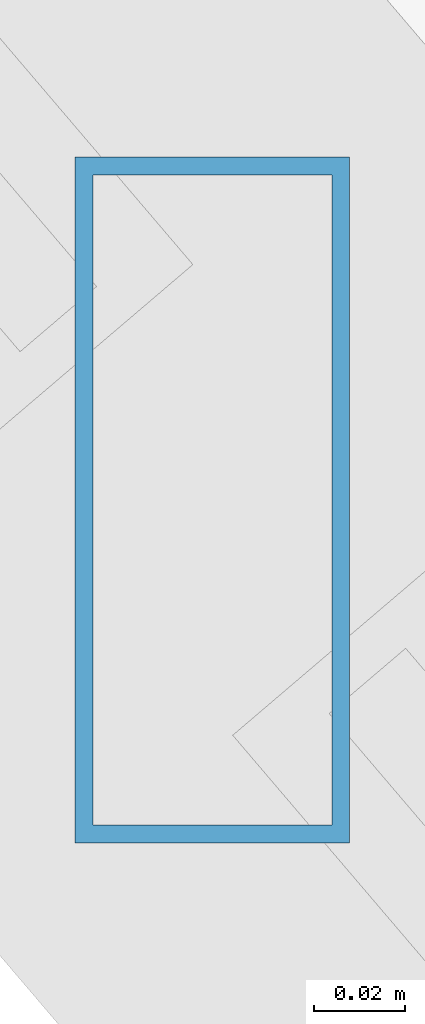
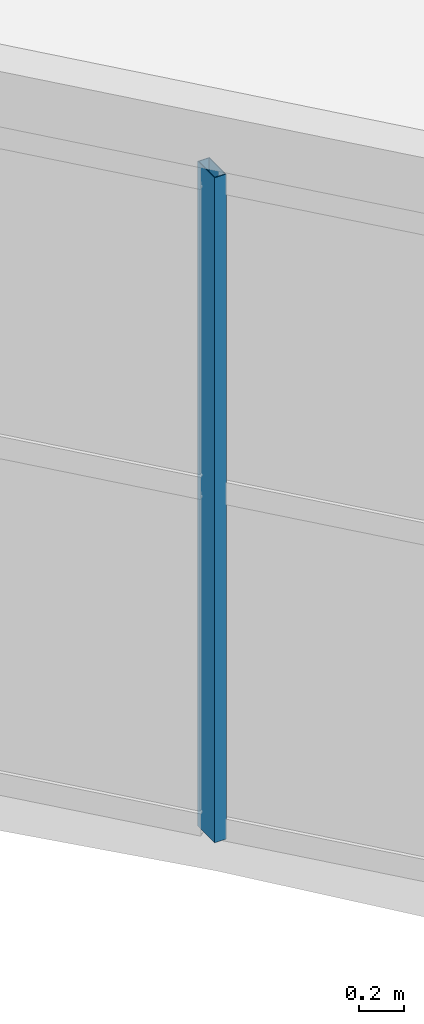
# One storey, part 33 of 63: 1 member, 1 element without a shape of its own.
"""IFC4 building model written with IfcOpenShell, lengths in metres."""

from ifc_helpers import new_model, si_unit, direction, frame, origin, origin_2d, place, context, subcontext, project, spatial, hollow_rectangle, extrude, material, material_profile, profile_set, type_object, element, aggregate, save


model = new_model("IFC4")

# Units and contexts
model_context = context("Model", 3, precision=1e-05, world=origin(), true_north=direction((0.0, 1.0)))
body_context = subcontext(model_context, "Body", "Model", "MODEL_VIEW")
ifc_project = project(units=[si_unit("LENGTHUNIT", "METRE"), si_unit("AREAUNIT", "SQUARE_METRE"), si_unit("VOLUMEUNIT", "CUBIC_METRE"), si_unit("PLANEANGLEUNIT", "RADIAN"), si_unit("MASSUNIT", "GRAM", prefix="KILO")], contexts=[model_context])

# Site, building, storey
site_placement = place(None, origin())
site = spatial("IfcSite", under=ifc_project, at=site_placement, CompositionType="ELEMENT")
building_placement = place(site_placement, origin())
building = spatial("IfcBuilding", under=site, at=building_placement, Name="Tarnveldt Headland Concert Hall", CompositionType="ELEMENT")
storey_placement = place(building_placement, frame((0.0, 0.0, 14.39990234375)))
storey = spatial("IfcBuildingStorey", under=building, at=storey_placement, Name="L03", CompositionType="ELEMENT", Elevation=14.39990234375)

# Curtain wall, member
ifc_material = material(Name="Marine-anodised aluminium EN AW-6063-T6", Category="aluminium")
curtain_wall_type = type_object("IfcCurtainWallType", Name="CW-C4", PredefinedType="NOTDEFINED", material=ifc_material)
curtain_wall_placement = place(storey_placement, origin())
curtain_wall = element("IfcCurtainWall", 1, at=curtain_wall_placement, inside=storey, type_object=curtain_wall_type, Name="Curtain wall CW-L03-144", PredefinedType="NOTDEFINED")
ifc_material_profile = material_profile(ifc_material, hollow_rectangle(XDim=0.06005859375, YDim=0.14990234375, WallThickness=0.00390625, at=origin_2d()), Name="ALU MULLION 60x150x4", Category="aluminium")
ifc_profile_set = profile_set([ifc_material_profile], Name="Marine-anodised aluminium EN AW-6063-T6")
member_type = type_object("IfcMemberType", Name="ML-150", PredefinedType="MULLION", material=ifc_profile_set)
member_placement = place(storey_placement, frame((150.17626953125, 87.853515625, 0.0), z_axis=(0.0, 0.0, 1.0), x_axis=(1.0, 0.0, 0.0)))
member = element("IfcMember", 2, at=member_placement, type_object=member_type, Name="Mullion CW-L03-144-2", PredefinedType="MULLION", context=body_context, shape_type="SweptSolid", body=[
    extrude(hollow_rectangle(XDim=0.06005859375, YDim=0.14990234375, WallThickness=0.00390625, at=origin_2d()), origin(), (0.0, 0.0, 1.0), 3.60009765625),
])
aggregate(curtain_wall, [member])

save(model, "model.ifc")
